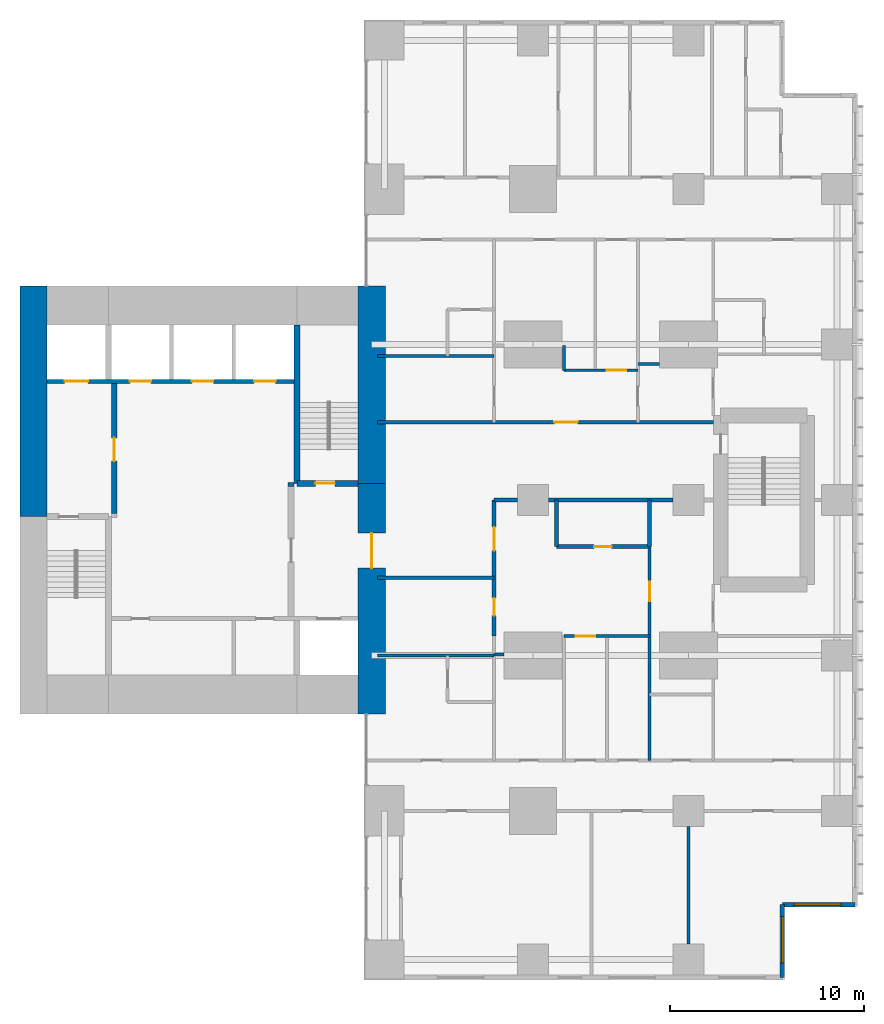
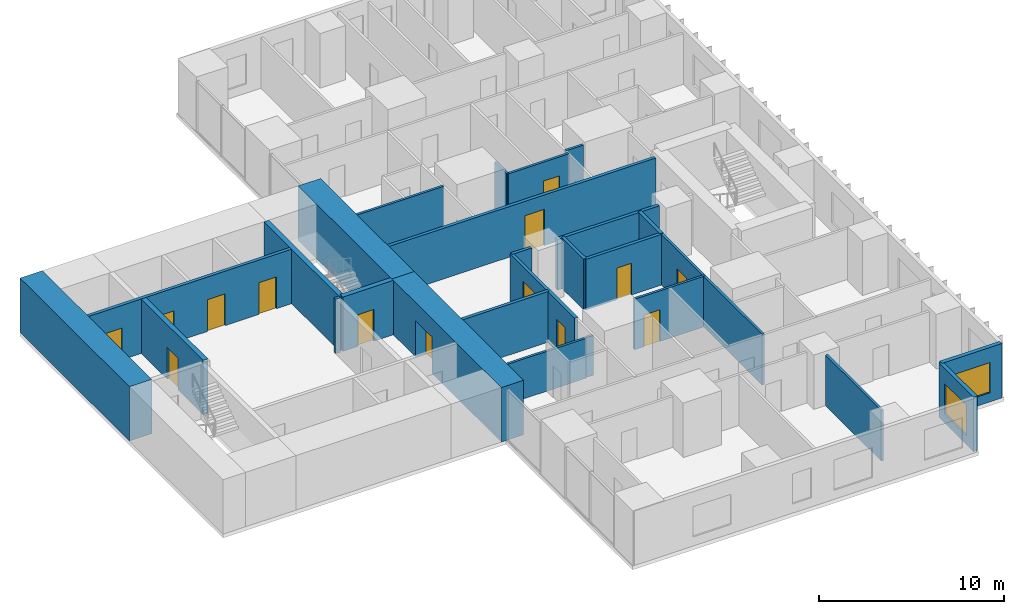
# One storey, part 8 of 12: 27 walls, 14 doors, 2 windows, 16 openings.
"""IFC4 building model written with IfcOpenShell, lengths in metres."""

import ifcopenshell
import ifcopenshell.guid

model = None  # the IFC model being written
_history = None  # IfcOwnerHistory: only IFC2X3 demands one
_inside = {}  # id of a spatial element -> (the spatial element, [elements in it])
_under = {}  # id of a project, library or spatial element -> (it, [spatial elements below it])
_declared = {}  # id of a project -> (the project, [libraries it declares])
_typed = {}  # id of a type object -> (the type object, [elements of that type])
_made_of = {}  # id of a material, layer set ... -> (it, [elements and type objects made of it])


def new_model(schema):
    """Start an empty IFC model of exactly this schema.

    Asked for "IFC4X3", IfcOpenShell would pick the latest addendum, in which some entities
    have other attributes; the version numbers below select the first issue.
    IFC2X3 requires an IfcOwnerHistory on every rooted entity: one is made here for all.
    """
    global model, _history
    if schema == "IFC4X3":
        model = ifcopenshell.file(schema_version=(4, 3, 0, 0))
    else:
        model = ifcopenshell.file(schema=schema)
    _inside.clear()
    _under.clear()
    _declared.clear()
    _typed.clear()
    _made_of.clear()
    _history = None
    if model.schema == "IFC2X3":
        org = make("IfcOrganization", Name="unknown")
        user = make(
            "IfcPersonAndOrganization",
            ThePerson=make("IfcPerson", FamilyName="unknown"),
            TheOrganization=org,
        )
        app = make(
            "IfcApplication",
            ApplicationDeveloper=org,
            Version="unknown",
            ApplicationFullName="unknown",
            ApplicationIdentifier="unknown",
        )
        _history = make(
            "IfcOwnerHistory",
            OwningUser=user,
            OwningApplication=app,
            ChangeAction="ADDED",
            CreationDate=0,
        )
    return model


def make(cls, **values):
    """One entity of the class cls with the attributes given. An attribute that is None is left unset."""
    return model.create_entity(
        cls, **{name: value for name, value in values.items() if value is not None}
    )


def rooted(cls, **values):
    """An entity with a GlobalId (a new one), such as an element, a storey or a relation."""
    return make(cls, GlobalId=ifcopenshell.guid.new(), OwnerHistory=_history, **values)


def si_unit(unit_type, name, prefix=None):
    """IfcSIUnit, for example si_unit("LENGTHUNIT", "METRE", prefix="MILLI")."""
    return make("IfcSIUnit", UnitType=unit_type, Prefix=prefix, Name=name)


def assignment(units):
    """IfcUnitAssignment: the units of a project."""
    return None if units is None else make("IfcUnitAssignment", Units=units)


def point(xyz):
    """IfcCartesianPoint."""
    return None if xyz is None else make("IfcCartesianPoint", Coordinates=xyz)


def direction(xyz):
    """IfcDirection."""
    return None if xyz is None else make("IfcDirection", DirectionRatios=xyz)


def frame(location, z_axis=None, x_axis=None):
    """IfcAxis2Placement3D, a coordinate frame: its origin and axes. An axis left out is left unset."""
    return make(
        "IfcAxis2Placement3D",
        Location=point(location),
        Axis=direction(z_axis),
        RefDirection=direction(x_axis),
    )


def frame_2d(location, x_axis=None):
    """IfcAxis2Placement2D, a coordinate frame in the plane: its origin and x axis."""
    return make(
        "IfcAxis2Placement2D", Location=point(location), RefDirection=direction(x_axis)
    )


def origin():
    """The frame at (0, 0, 0) with its axes left unset."""
    return frame((0.0, 0.0, 0.0))


def place(relative_to, where):
    """IfcLocalPlacement: puts the frame where relative to a parent placement (None: the world)."""
    return make(
        "IfcLocalPlacement", PlacementRelTo=relative_to, RelativePlacement=where
    )


def context(
    kind, dimensions, precision=None, world=None, true_north=None, identifier=None
):
    """IfcGeometricRepresentationContext, for example the 3D "Model" context."""
    return make(
        "IfcGeometricRepresentationContext",
        ContextIdentifier=identifier,
        ContextType=kind,
        CoordinateSpaceDimension=dimensions,
        Precision=precision,
        WorldCoordinateSystem=world,
        TrueNorth=true_north,
    )


def subcontext(parent, identifier, kind, view, scale=None):
    """IfcGeometricRepresentationSubContext, for example "Body" below "Model"."""
    return make(
        "IfcGeometricRepresentationSubContext",
        ContextIdentifier=identifier,
        ContextType=kind,
        ParentContext=parent,
        TargetScale=scale,
        TargetView=view,
    )


def project(units=None, contexts=None):
    """IfcProject with its units and contexts."""
    return rooted(
        "IfcProject",
        Name="project",
        RepresentationContexts=contexts,
        UnitsInContext=assignment(units),
    )


def spatial(cls, under=None, at=None, **own):
    """A site, building, storey or space (cls), placed at a placement, below another one or the project."""
    s = rooted(cls, ObjectPlacement=at, **own)
    if under is not None:
        _under.setdefault(under.id(), (under, []))[1].append(s)
    return s


def profile(cls, at=None, kind="AREA", **sizes):
    """A parametric profile (cls). Its sizes go by their IFC names, for example OverallWidth=200.0."""
    return make(cls, ProfileType=kind, Position=at, **sizes)


def rectangle(**sizes):
    """IfcRectangleProfileDef."""
    return profile("IfcRectangleProfileDef", **sizes)


def extrude(swept, where, along, depth):
    """IfcExtrudedAreaSolid: the profile swept, set in the frame where, extruded along a direction by depth."""
    return make(
        "IfcExtrudedAreaSolid",
        SweptArea=swept,
        Position=where,
        ExtrudedDirection=direction(along),
        Depth=depth,
    )


def shape(context_of_items, identifier, shape_type, items):
    """IfcShapeRepresentation: the items that make up one representation, for example the "Body"."""
    return make(
        "IfcShapeRepresentation",
        ContextOfItems=context_of_items,
        RepresentationIdentifier=identifier,
        RepresentationType=shape_type,
        Items=items,
    )


def material(Name=None, Category=None):
    """IfcMaterial."""
    return make("IfcMaterial", Name=Name, Category=Category)


def layer(
    of_material, thickness, ventilated=None, Name=None, Category=None, Priority=None
):
    """IfcMaterialLayer: one layer of a wall or slab, of a material (None: an air gap)."""
    return make(
        "IfcMaterialLayer",
        Material=of_material,
        LayerThickness=thickness,
        IsVentilated=ventilated,
        Name=Name,
        Category=Category,
        Priority=Priority,
    )


def layer_set(layers, Name=None):
    """IfcMaterialLayerSet."""
    return make("IfcMaterialLayerSet", MaterialLayers=layers, LayerSetName=Name)


def made_of(thing, what):
    """Note that an element or type object is made of a material, layer set ...; save() writes the relation."""
    if what is not None:
        _made_of.setdefault(what.id(), (what, []))[1].append(thing)
    return thing


def type_object(cls, material=None, **own):
    """A type object (cls), such as IfcWallType, which elements share."""
    return made_of(rooted(cls, **own), material)


def element(
    cls,
    number,
    at=None,
    inside=None,
    cuts=None,
    type_object=None,
    material=None,
    context=None,
    identifier="Body",
    shape_type=None,
    held_by="IfcProductDefinitionShape",
    body=None,
    shapes=None,
    **own,
):
    """One element of the class cls, such as IfcWall. Its Tag is "e" and its number.

    at: its placement. inside: the storey or other place that contains it. cuts: it is an
    opening in that element (IfcRelVoidsElement). A single representation is given by context,
    identifier, shape_type and body (its items); several are given by shapes. held_by: the class
    of the entity that holds the representations. save() writes the other relations.
    """
    e = rooted(cls, Tag="e%d" % number, ObjectPlacement=at, **own)
    if body is not None:
        shapes = [shape(context, identifier, shape_type, body)]
    if shapes is not None:
        e.Representation = make(held_by, Representations=shapes)
    if inside is not None:
        _inside.setdefault(inside.id(), (inside, []))[1].append(e)
    if cuts is not None:
        rooted(
            "IfcRelVoidsElement", RelatingBuildingElement=cuts, RelatedOpeningElement=e
        )
    if type_object is not None:
        _typed.setdefault(type_object.id(), (type_object, []))[1].append(e)
    return made_of(e, material)


def fill(opening, filler):
    """IfcRelFillsElement: the door or window that sits in an opening."""
    return rooted(
        "IfcRelFillsElement",
        RelatingOpeningElement=opening,
        RelatedBuildingElement=filler,
    )


def aggregate(whole, parts):
    """IfcRelAggregates: a whole, such as a stair, and the parts it consists of."""
    return rooted("IfcRelAggregates", RelatingObject=whole, RelatedObjects=parts)


def save(model, path):
    """Write the relations noted so far, then the file.

    IfcRelAggregates (storeys below a building ...), IfcRelContainedInSpatialStructure (elements
    in a storey), IfcRelDefinesByType, IfcRelAssociatesMaterial and IfcRelDeclares: one each for
    every whole, place, type object, material and project.
    """
    for whole, parts in _under.values():
        aggregate(whole, parts)
    for where, things in _inside.values():
        rooted(
            "IfcRelContainedInSpatialStructure",
            RelatedElements=things,
            RelatingStructure=where,
        )
    for kind, things in _typed.values():
        rooted("IfcRelDefinesByType", RelatedObjects=things, RelatingType=kind)
    for what, things in _made_of.values():
        rooted("IfcRelAssociatesMaterial", RelatedObjects=things, RelatingMaterial=what)
    for by, libraries in _declared.values():
        rooted("IfcRelDeclares", RelatingContext=by, RelatedDefinitions=libraries)
    model.write(path)


model = new_model("IFC4")

# Units and contexts
model_context = context("Model", 3, precision=1e-05, world=origin(), true_north=direction((0.0, 1.0)))
body_context = subcontext(model_context, "Body", "Model", "MODEL_VIEW")
ifc_project = project(units=[si_unit("LENGTHUNIT", "METRE"), si_unit("AREAUNIT", "SQUARE_METRE"), si_unit("VOLUMEUNIT", "CUBIC_METRE"), si_unit("PLANEANGLEUNIT", "RADIAN"), si_unit("MASSUNIT", "GRAM", prefix="KILO")], contexts=[model_context])

# Site, building, storey
site_placement = place(None, origin())
site = spatial("IfcSite", under=ifc_project, at=site_placement, CompositionType="ELEMENT")
building_placement = place(site_placement, origin())
building = spatial("IfcBuilding", under=site, at=building_placement, Name="Cleftline Residences", CompositionType="ELEMENT")
storey_placement = place(building_placement, frame((0.0, 0.0, 270.0)))
storey = spatial("IfcBuildingStorey", under=building, at=storey_placement, Name="L71", CompositionType="ELEMENT", Elevation=270.0)

# Wall
ifc_material_1 = material(Name="Concrete B70", Category="concrete")
ifc_layer_1 = layer(ifc_material_1, 1.39990234375)
ifc_layer_set_1 = layer_set([ifc_layer_1], Name="CORE WALL 1400")
wall_type_1 = type_object("IfcWallType", Name="CORE WALL 1400", PredefinedType="SHEAR", material=ifc_layer_set_1)
wall_1_placement = place(storey_placement, frame((24.300048828125, 23.14990234375, 0.0), z_axis=(0.0, 0.0, 1.0), x_axis=(0.0, 1.0, 0.0)))
element("IfcWall", 1, at=wall_1_placement, inside=storey, type_object=wall_type_1, Name="Core wall W", PredefinedType="SHEAR", context=body_context, shape_type="SweptSolid", body=[
    extrude(rectangle(XDim=11.85009765625, YDim=1.39990234375, at=frame_2d((5.925048828125, 0.0))), origin(), (0.0, 0.0, 1.0), 3.60009765625),
])

# Wall, opening, door
wall_2_placement = place(storey_placement, frame((41.699951171875, 13.0, 0.0), z_axis=(0.0, 0.0, 1.0), x_axis=(0.0, 1.0, 0.0)))
wall_2 = element("IfcWall", 2, at=wall_2_placement, inside=storey, type_object=wall_type_1, Name="Core wall E", PredefinedType="SHEAR", context=body_context, shape_type="SweptSolid", body=[
    extrude(rectangle(XDim=11.85009765625, YDim=1.39990234375, at=frame_2d((5.925048828125, 0.0))), origin(), (0.0, 0.0, 1.0), 3.60009765625),
])
opening_1_placement = place(wall_2_placement, frame((7.5, 0.0, 0.0)))
opening_1 = element("IfcOpeningElement", 3, at=opening_1_placement, cuts=wall_2, Name="Opening D7", PredefinedType="OPENING", context=body_context, shape_type="SweptSolid", body=[
    extrude(rectangle(XDim=1.800048828125, YDim=2.39990234375, at=frame_2d((0.89990234375, 1.199951171875))), frame((0.0, 0.7099609375, 0.0), z_axis=(0.0, -1.0, 0.0), x_axis=(1.0, 0.0, 0.0)), (0.0, 0.0, 1.0), 1.419921875),
])
ifc_material_2 = material(Name="Steel", Category="steel")
door_type_1 = type_object("IfcDoorType", Name="WING DOOR 1800X2400", OperationType="DOUBLE_DOOR_DOUBLE_SWING", PredefinedType="DOOR", material=ifc_material_2)
door_1_placement = place(opening_1_placement, origin())
door_1 = element("IfcDoor", 4, at=door_1_placement, inside=storey, type_object=door_type_1, Name="East wing door", OperationType="DOUBLE_DOOR_DOUBLE_SWING", OverallHeight=2.39990234375, OverallWidth=1.800048828125, PredefinedType="DOOR", context=body_context, shape_type="SweptSolid", body=[
    extrude(rectangle(XDim=1.800048828125, YDim=2.39990234375, at=frame_2d((0.89990234375, 1.199951171875))), frame((0.0, 0.02490234375, 0.0), z_axis=(0.0, -1.0, 0.0), x_axis=(1.0, 0.0, 0.0)), (0.0, 0.0, 1.0), 0.050048828125),
])
fill(opening_1, door_1)

# Walls
wall_3_placement = place(storey_placement, frame((41.699951171875, 24.85009765625, 0.0), z_axis=(0.0, 0.0, 1.0), x_axis=(0.0, 1.0, 0.0)))
element("IfcWall", 5, at=wall_3_placement, inside=storey, type_object=wall_type_1, Name="Core wall E1", PredefinedType="SHEAR", context=body_context, shape_type="SweptSolid", body=[
    extrude(rectangle(XDim=10.14990234375, YDim=1.39990234375, at=frame_2d((5.074951171875, 0.0))), origin(), (0.0, 0.0, 1.0), 3.60009765625),
])
ifc_material_3 = material(Name="Concrete B70", Category="concrete")
ifc_layer_2 = layer(ifc_material_3, 0.300048828125)
ifc_layer_set_2 = layer_set([ifc_layer_2], Name="CORE WALL 300")
wall_type_2 = type_object("IfcWallType", Name="CORE WALL 300", PredefinedType="SHEAR", material=ifc_layer_set_2)
wall_4_placement = place(storey_placement, frame((37.85009765625, 24.85009765625, 0.0), z_axis=(0.0, 0.0, 1.0), x_axis=(0.0, 1.0, 0.0)))
element("IfcWall", 6, at=wall_4_placement, inside=storey, type_object=wall_type_2, Name="Core wall SB-W", PredefinedType="SHEAR", context=body_context, shape_type="SweptSolid", body=[
    extrude(rectangle(XDim=8.14990234375, YDim=0.300048828125, at=frame_2d((4.074951171875, 0.0))), origin(), (0.0, 0.0, 1.0), 3.60009765625),
])

# Wall, opening, door
wall_5_placement = place(storey_placement, frame((37.85009765625, 24.85009765625, 0.0), z_axis=(0.0, 0.0, 1.0), x_axis=(1.0, 0.0, 0.0)))
wall_5 = element("IfcWall", 7, at=wall_5_placement, inside=storey, type_object=wall_type_2, Name="Core wall SB-S", PredefinedType="SHEAR", context=body_context, shape_type="SweptSolid", body=[
    extrude(rectangle(XDim=3.14990234375, YDim=0.300048828125, at=frame_2d((1.574951171875, 0.0))), origin(), (0.0, 0.0, 1.0), 3.60009765625),
])
opening_2_placement = place(wall_5_placement, frame((0.949951171875, 0.0, 0.0)))
opening_2 = element("IfcOpeningElement", 8, at=opening_2_placement, cuts=wall_5, Name="Opening D5", PredefinedType="OPENING", context=body_context, shape_type="SweptSolid", body=[
    extrude(rectangle(XDim=1.0, YDim=2.10009765625, at=frame_2d((0.5, 1.050048828125))), frame((0.0, 0.159912109375, 0.0), z_axis=(0.0, -1.0, 0.0), x_axis=(1.0, 0.0, 0.0)), (0.0, 0.0, 1.0), 0.320068359375),
])
ifc_material_4 = material(Name="Steel", Category="steel")
door_type_2 = type_object("IfcDoorType", Name="STAIR DOOR 1000X2100", OperationType="SINGLE_SWING_LEFT", PredefinedType="DOOR", material=ifc_material_4)
door_2_placement = place(opening_2_placement, origin())
door_2 = element("IfcDoor", 9, at=door_2_placement, inside=storey, type_object=door_type_2, Name="Stair B door", OperationType="SINGLE_SWING_RIGHT", OverallHeight=2.10009765625, OverallWidth=1.0, PredefinedType="DOOR", context=body_context, shape_type="SweptSolid", body=[
    extrude(rectangle(XDim=1.0, YDim=2.10009765625, at=frame_2d((0.5, 1.050048828125))), frame((0.0, 0.02490234375, 0.0), z_axis=(0.0, -1.0, 0.0), x_axis=(1.0, 0.0, 0.0)), (0.0, 0.0, 1.0), 0.050048828125),
])
fill(opening_2, door_2)

# Wall, opening, window
ifc_material_5 = material(Name="Rendered reinforced concrete blockwork", Category="masonry")
ifc_layer_3 = layer(ifc_material_5, 0.25)
ifc_layer_set_3 = layer_set([ifc_layer_3], Name="EXTERNAL WALL 250")
wall_type_3 = type_object("IfcWallType", Name="EXTERNAL WALL 250", PredefinedType="SOLIDWALL", material=ifc_layer_set_3)
wall_6_placement = place(storey_placement, frame((62.824951171875, -0.574951171875, 0.0), z_axis=(0.0, 0.0, 1.0), x_axis=(0.0, 1.0, 0.0)))
wall_6 = element("IfcWall", 10, at=wall_6_placement, inside=storey, type_object=wall_type_3, Name="External wall", PredefinedType="SOLIDWALL", context=body_context, shape_type="SweptSolid", body=[
    extrude(rectangle(XDim=3.75, YDim=0.25, at=frame_2d((1.875, 0.0))), origin(), (0.0, 0.0, 1.0), 3.60009765625),
])
opening_3_placement = place(wall_6_placement, frame((0.737548828125, 0.0, 0.60009765625)))
opening_3 = element("IfcOpeningElement", 11, at=opening_3_placement, cuts=wall_6, Name="Opening W6", PredefinedType="OPENING", context=body_context, shape_type="SweptSolid", body=[
    extrude(rectangle(XDim=2.39990234375, YDim=2.0, at=frame_2d((1.199951171875, 1.0))), frame((0.0, 0.135009765625, 0.0), z_axis=(0.0, -1.0, 0.0), x_axis=(1.0, 0.0, 0.0)), (0.0, 0.0, 1.0), 0.27001953125),
])
ifc_material_6 = material(Name="Aluminium frame, clear double glazing", Category="aluminium")
window_type = type_object("IfcWindowType", Name="WINDOW 2400X2000", PartitioningType="DOUBLE_PANEL_VERTICAL", PredefinedType="WINDOW", material=ifc_material_6)
window_1_placement = place(opening_3_placement, origin())
window_1 = element("IfcWindow", 12, at=window_1_placement, inside=storey, type_object=window_type, Name="Window", OverallHeight=2.0, OverallWidth=2.39990234375, PartitioningType="SINGLE_PANEL", PredefinedType="WINDOW", context=body_context, shape_type="SweptSolid", body=[
    extrude(rectangle(XDim=2.39990234375, YDim=2.0, at=frame_2d((1.199951171875, 1.0))), frame((0.0, 0.030029296875, 0.0), z_axis=(0.0, -1.0, 0.0), x_axis=(1.0, 0.0, 0.0)), (0.0, 0.0, 1.0), 0.06005859375),
])
fill(opening_3, window_1)

wall_7_placement = place(storey_placement, frame((62.824951171875, 3.175048828125, 0.0), z_axis=(0.0, 0.0, 1.0), x_axis=(1.0, 0.0, 0.0)))
wall_7 = element("IfcWall", 13, at=wall_7_placement, inside=storey, type_object=wall_type_3, Name="External wall", PredefinedType="SOLIDWALL", context=body_context, shape_type="SweptSolid", body=[
    extrude(rectangle(XDim=3.75, YDim=0.25, at=frame_2d((1.875, 0.0))), origin(), (0.0, 0.0, 1.0), 3.60009765625),
])
opening_4_placement = place(wall_7_placement, frame((0.612548828125, 0.0, 0.60009765625)))
opening_4 = element("IfcOpeningElement", 14, at=opening_4_placement, cuts=wall_7, Name="Opening W6", PredefinedType="OPENING", context=body_context, shape_type="SweptSolid", body=[
    extrude(rectangle(XDim=2.39990234375, YDim=2.0, at=frame_2d((1.199951171875, 1.0))), frame((0.0, 0.135009765625, 0.0), z_axis=(0.0, -1.0, 0.0), x_axis=(1.0, 0.0, 0.0)), (0.0, 0.0, 1.0), 0.27001953125),
])
window_2_placement = place(opening_4_placement, origin())
window_2 = element("IfcWindow", 15, at=window_2_placement, inside=storey, type_object=window_type, Name="Window", OverallHeight=2.0, OverallWidth=2.39990234375, PartitioningType="SINGLE_PANEL", PredefinedType="WINDOW", context=body_context, shape_type="SweptSolid", body=[
    extrude(rectangle(XDim=2.39990234375, YDim=2.0, at=frame_2d((1.199951171875, 1.0))), frame((0.0, 0.030029296875, 0.0), z_axis=(0.0, -1.0, 0.0), x_axis=(1.0, 0.0, 0.0)), (0.0, 0.0, 1.0), 0.06005859375),
])
fill(opening_4, window_2)

# Wall
ifc_material_7 = material(Name="Concrete blockwork, fire rated", Category="masonry")
ifc_layer_4 = layer(ifc_material_7, 0.199951171875)
ifc_layer_set_4 = layer_set([ifc_layer_4], Name="FIRE WALL 200")
wall_type_4 = type_object("IfcWallType", Name="FIRE WALL 200", PredefinedType="PARTITIONING", material=ifc_layer_set_4)
wall_8_placement = place(storey_placement, frame((42.0, 20.0, 0.0), z_axis=(0.0, 0.0, 1.0), x_axis=(1.0, 0.0, 0.0)))
element("IfcWall", 16, at=wall_8_placement, inside=storey, type_object=wall_type_4, Name="Fire separating wall", PredefinedType="PARTITIONING", context=body_context, shape_type="SweptSolid", body=[
    extrude(rectangle(XDim=6.0, YDim=0.199951171875, at=frame_2d((3.0, 0.0))), origin(), (0.0, 0.0, 1.0), 3.35009765625),
])

# Wall, opening, door
wall_9_placement = place(storey_placement, frame((51.199951171875, 21.60009765625, 0.0), z_axis=(0.0, 0.0, 1.0), x_axis=(1.0, 0.0, 0.0)))
wall_9 = element("IfcWall", 17, at=wall_9_placement, inside=storey, type_object=wall_type_4, Name="Fire separating wall", PredefinedType="PARTITIONING", context=body_context, shape_type="SweptSolid", body=[
    extrude(rectangle(XDim=4.800048828125, YDim=0.199951171875, at=frame_2d((2.39990234375, 0.0))), origin(), (0.0, 0.0, 1.0), 3.35009765625),
])
opening_5_placement = place(wall_9_placement, frame((1.949951171875, 0.0, 0.0)))
opening_5 = element("IfcOpeningElement", 18, at=opening_5_placement, cuts=wall_9, Name="Opening D1F30", PredefinedType="OPENING", context=body_context, shape_type="SweptSolid", body=[
    extrude(rectangle(XDim=0.89990234375, YDim=2.10009765625, at=frame_2d((0.449951171875, 1.050048828125))), frame((0.0, 0.10986328125, 0.0), z_axis=(0.0, -1.0, 0.0), x_axis=(1.0, 0.0, 0.0)), (0.0, 0.0, 1.0), 0.219970703125),
])
ifc_material_8 = material(Name="Timber veneer on solid core", Category="wood")
door_type_3 = type_object("IfcDoorType", Name="DOOR 900X2100 EI 30", OperationType="SINGLE_SWING_LEFT", PredefinedType="DOOR", material=ifc_material_8)
door_3_placement = place(opening_5_placement, origin())
door_3 = element("IfcDoor", 19, at=door_3_placement, inside=storey, type_object=door_type_3, Name="Door to cloakroom wc", OperationType="SINGLE_SWING_LEFT", OverallHeight=2.10009765625, OverallWidth=0.89990234375, PredefinedType="DOOR", context=body_context, shape_type="SweptSolid", body=[
    extrude(rectangle(XDim=0.89990234375, YDim=2.10009765625, at=frame_2d((0.449951171875, 1.050048828125))), frame((0.0, 0.02490234375, 0.0), z_axis=(0.0, -1.0, 0.0), x_axis=(1.0, 0.0, 0.0)), (0.0, 0.0, 1.0), 0.050048828125),
])
fill(opening_5, door_3)

# Walls
wall_10_placement = place(storey_placement, frame((48.0, 24.0, 0.0), z_axis=(0.0, 0.0, 1.0), x_axis=(1.0, 0.0, 0.0)))
element("IfcWall", 20, at=wall_10_placement, inside=storey, type_object=wall_type_4, Name="Fire separating wall", PredefinedType="PARTITIONING", context=body_context, shape_type="SweptSolid", body=[
    extrude(rectangle(XDim=1.199951171875, YDim=0.199951171875, at=frame_2d((0.60009765625, 0.0))), origin(), (0.0, 0.0, 1.0), 3.35009765625),
])
wall_11_placement = place(storey_placement, frame((50.800048828125, 24.0, 0.0), z_axis=(0.0, 0.0, 1.0), x_axis=(1.0, 0.0, 0.0)))
element("IfcWall", 21, at=wall_11_placement, inside=storey, type_object=wall_type_4, Name="Fire separating wall", PredefinedType="PARTITIONING", context=body_context, shape_type="SweptSolid", body=[
    extrude(rectangle(XDim=6.39990234375, YDim=0.199951171875, at=frame_2d((3.199951171875, 0.0))), origin(), (0.0, 0.0, 1.0), 3.35009765625),
])

# Wall, opening, door
wall_12_placement = place(storey_placement, frame((42.0, 28.0, 0.0), z_axis=(0.0, 0.0, 1.0), x_axis=(1.0, 0.0, 0.0)))
wall_12 = element("IfcWall", 22, at=wall_12_placement, inside=storey, type_object=wall_type_4, Name="Fire separating wall", PredefinedType="PARTITIONING", context=body_context, shape_type="SweptSolid", body=[
    extrude(rectangle(XDim=17.27490234375, YDim=0.199951171875, at=frame_2d((8.637451171875, 0.0))), origin(), (0.0, 0.0, 1.0), 3.35009765625),
])
opening_6_placement = place(wall_12_placement, frame((9.10009765625, 0.0, 0.0)))
opening_6 = element("IfcOpeningElement", 23, at=opening_6_placement, cuts=wall_12, Name="Opening D4", PredefinedType="OPENING", context=body_context, shape_type="SweptSolid", body=[
    extrude(rectangle(XDim=1.199951171875, YDim=2.39990234375, at=frame_2d((0.60009765625, 1.199951171875))), frame((0.0, 0.10986328125, 0.0), z_axis=(0.0, -1.0, 0.0), x_axis=(1.0, 0.0, 0.0)), (0.0, 0.0, 1.0), 0.219970703125),
])
ifc_material_9 = material(Name="Timber veneer on solid core", Category="wood")
door_type_4 = type_object("IfcDoorType", Name="APARTMENT ENTRANCE DOOR 1200X2400", OperationType="SINGLE_SWING_RIGHT", PredefinedType="DOOR", material=ifc_material_9)
door_4_placement = place(opening_6_placement, origin())
door_4 = element("IfcDoor", 24, at=door_4_placement, inside=storey, type_object=door_type_4, Name="Door to residence entrance (gallery)", OperationType="SINGLE_SWING_LEFT", OverallHeight=2.39990234375, OverallWidth=1.199951171875, PredefinedType="DOOR", context=body_context, shape_type="SweptSolid", body=[
    extrude(rectangle(XDim=1.199951171875, YDim=2.39990234375, at=frame_2d((0.60009765625, 1.199951171875))), frame((0.0, 0.02490234375, 0.0), z_axis=(0.0, -1.0, 0.0), x_axis=(1.0, 0.0, 0.0)), (0.0, 0.0, 1.0), 0.050048828125),
])
fill(opening_6, door_4)

# Wall, openings, doors
wall_13_placement = place(storey_placement, frame((48.0, 17.0, 0.0), z_axis=(0.0, 0.0, 1.0), x_axis=(0.0, 1.0, 0.0)))
wall_13 = element("IfcWall", 25, at=wall_13_placement, inside=storey, type_object=wall_type_4, Name="Fire separating wall", PredefinedType="PARTITIONING", context=body_context, shape_type="SweptSolid", body=[
    extrude(rectangle(XDim=7.0, YDim=0.199951171875, at=frame_2d((3.5, 0.0))), origin(), (0.0, 0.0, 1.0), 3.35009765625),
])
opening_7_placement = place(wall_13_placement, frame((4.39990234375, 0.0, 0.0)))
opening_7 = element("IfcOpeningElement", 26, at=opening_7_placement, cuts=wall_13, Name="Opening D4", PredefinedType="OPENING", context=body_context, shape_type="SweptSolid", body=[
    extrude(rectangle(XDim=1.199951171875, YDim=2.39990234375, at=frame_2d((0.60009765625, 1.199951171875))), frame((0.0, 0.10986328125, 0.0), z_axis=(0.0, -1.0, 0.0), x_axis=(1.0, 0.0, 0.0)), (0.0, 0.0, 1.0), 0.219970703125),
])
opening_8_placement = place(wall_13_placement, frame((1.050048828125, 0.0, 0.0)))
opening_8 = element("IfcOpeningElement", 27, at=opening_8_placement, cuts=wall_13, Name="Opening D1F30", PredefinedType="OPENING", context=body_context, shape_type="SweptSolid", body=[
    extrude(rectangle(XDim=0.89990234375, YDim=2.10009765625, at=frame_2d((0.449951171875, 1.050048828125))), frame((0.0, 0.10986328125, 0.0), z_axis=(0.0, -1.0, 0.0), x_axis=(1.0, 0.0, 0.0)), (0.0, 0.0, 1.0), 0.219970703125),
])
door_5_placement = place(opening_7_placement, origin())
door_5 = element("IfcDoor", 28, at=door_5_placement, inside=storey, type_object=door_type_4, Name="Door to residence entrance foyer", OperationType="SINGLE_SWING_LEFT", OverallHeight=2.39990234375, OverallWidth=1.199951171875, PredefinedType="DOOR", context=body_context, shape_type="SweptSolid", body=[
    extrude(rectangle(XDim=1.199951171875, YDim=2.39990234375, at=frame_2d((0.60009765625, 1.199951171875))), frame((0.0, 0.02490234375, 0.0), z_axis=(0.0, -1.0, 0.0), x_axis=(1.0, 0.0, 0.0)), (0.0, 0.0, 1.0), 0.050048828125),
])
fill(opening_7, door_5)
door_6_placement = place(opening_8_placement, origin())
door_6 = element("IfcDoor", 29, at=door_6_placement, inside=storey, type_object=door_type_3, Name="Door to laundry", OperationType="SINGLE_SWING_RIGHT", OverallHeight=2.10009765625, OverallWidth=0.89990234375, PredefinedType="DOOR", context=body_context, shape_type="SweptSolid", body=[
    extrude(rectangle(XDim=0.89990234375, YDim=2.10009765625, at=frame_2d((0.449951171875, 1.050048828125))), frame((0.0, 0.02490234375, 0.0), z_axis=(0.0, -1.0, 0.0), x_axis=(1.0, 0.0, 0.0)), (0.0, 0.0, 1.0), 0.050048828125),
])
fill(opening_8, door_6)

# Walls
for number, where, z_axis, x_axis, name in (
    (30, (51.199951171875, 21.60009765625, 0.0), (0.0, 0.0, 1.0), (0.0, 1.0, 0.0), "Fire separating wall"),
    (31, (56.0, 21.60009765625, 0.0), (0.0, 0.0, 1.0), (0.0, 1.0, 0.0), "Fire separating wall"),
):
    element("IfcWall", number, at=place(storey_placement, frame(where, z_axis=z_axis, x_axis=x_axis)), inside=storey, type_object=wall_type_4, Name=name, PredefinedType="PARTITIONING", context=body_context, shape_type="SweptSolid", body=[
        extrude(rectangle(XDim=2.39990234375, YDim=0.199951171875, at=frame_2d((1.199951171875, 0.0))), origin(), (0.0, 0.0, 1.0), 3.35009765625),
    ])
wall_14_placement = place(storey_placement, frame((37.39990234375, 24.800048828125, 0.0), z_axis=(0.0, 0.0, 1.0), x_axis=(1.0, 0.0, 0.0)))
element("IfcWall", 32, at=wall_14_placement, inside=storey, type_object=wall_type_4, Name="Fire separating wall", PredefinedType="PARTITIONING", context=body_context, shape_type="SweptSolid", body=[
    extrude(rectangle(XDim=0.300048828125, YDim=0.199951171875, at=frame_2d((0.14990234375, 0.0))), origin(), (0.0, 0.0, 1.0), 3.60009765625),
])
ifc_material_10 = material(Name="Gypsum board on steel studs", Category="steel")
ifc_layer_5 = layer(ifc_material_10, 0.14990234375)
ifc_layer_set_5 = layer_set([ifc_layer_5], Name="PARTITION 150")
wall_type_5 = type_object("IfcWallType", Name="PARTITION 150", PredefinedType="PARTITIONING", material=ifc_layer_set_5)
wall_15_placement = place(storey_placement, frame((42.0, 16.0, 0.0), z_axis=(0.0, 0.0, 1.0), x_axis=(1.0, 0.0, 0.0)))
element("IfcWall", 33, at=wall_15_placement, inside=storey, type_object=wall_type_5, Name="Partition", PredefinedType="PARTITIONING", context=body_context, shape_type="SweptSolid", body=[
    extrude(rectangle(XDim=6.0, YDim=0.14990234375, at=frame_2d((3.0, 0.0))), origin(), (0.0, 0.0, 1.0), 2.634033203125),
])
wall_16_placement = place(storey_placement, frame((48.0, 16.050048828125, 0.0), z_axis=(0.0, 0.0, 1.0), x_axis=(1.0, 0.0, 0.0)))
element("IfcWall", 34, at=wall_16_placement, inside=storey, type_object=wall_type_5, Name="Partition", PredefinedType="PARTITIONING", context=body_context, shape_type="SweptSolid", body=[
    extrude(rectangle(XDim=0.5, YDim=0.14990234375, at=frame_2d((0.25, 0.0))), origin(), (0.0, 0.0, 1.0), 2.634033203125),
])

# Wall, opening, door
wall_17_placement = place(storey_placement, frame((51.60009765625, 17.0, 0.0), z_axis=(0.0, 0.0, 1.0), x_axis=(1.0, 0.0, 0.0)))
wall_17 = element("IfcWall", 35, at=wall_17_placement, inside=storey, type_object=wall_type_5, Name="Partition", PredefinedType="PARTITIONING", context=body_context, shape_type="SweptSolid", body=[
    extrude(rectangle(XDim=4.39990234375, YDim=0.14990234375, at=frame_2d((2.199951171875, 0.0))), origin(), (0.0, 0.0, 1.0), 3.35009765625),
])
opening_9_placement = place(wall_17_placement, frame((0.60009765625, 0.0, 0.0)))
opening_9 = element("IfcOpeningElement", 36, at=opening_9_placement, cuts=wall_17, Name="Opening D2", PredefinedType="OPENING", context=body_context, shape_type="SweptSolid", body=[
    extrude(rectangle(XDim=1.0, YDim=2.10009765625, at=frame_2d((0.5, 1.050048828125))), frame((0.0, 0.0849609375, 0.0), z_axis=(0.0, -1.0, 0.0), x_axis=(1.0, 0.0, 0.0)), (0.0, 0.0, 1.0), 0.169921875),
])
ifc_material_11 = material(Name="Timber veneer on solid core", Category="wood")
door_type_5 = type_object("IfcDoorType", Name="DOOR 1000X2100", OperationType="SINGLE_SWING_LEFT", PredefinedType="DOOR", material=ifc_material_11)
door_7_placement = place(opening_9_placement, origin())
door_7 = element("IfcDoor", 37, at=door_7_placement, inside=storey, type_object=door_type_5, Name="Door to residence passage", OperationType="SINGLE_SWING_RIGHT", OverallHeight=2.10009765625, OverallWidth=1.0, PredefinedType="DOOR", context=body_context, shape_type="SweptSolid", body=[
    extrude(rectangle(XDim=1.0, YDim=2.10009765625, at=frame_2d((0.5, 1.050048828125))), frame((0.0, 0.02490234375, 0.0), z_axis=(0.0, -1.0, 0.0), x_axis=(1.0, 0.0, 0.0)), (0.0, 0.0, 1.0), 0.050048828125),
])
fill(opening_9, door_7)

wall_18_placement = place(storey_placement, frame((51.60009765625, 30.675048828125, 0.0), z_axis=(0.0, 0.0, 1.0), x_axis=(1.0, 0.0, 0.0)))
wall_18 = element("IfcWall", 38, at=wall_18_placement, inside=storey, type_object=wall_type_5, Name="Partition", PredefinedType="PARTITIONING", context=body_context, shape_type="SweptSolid", body=[
    extrude(rectangle(XDim=3.7998046875, YDim=0.14990234375, at=frame_2d((1.89990234375, 0.0))), origin(), (0.0, 0.0, 1.0), 3.35009765625),
])
opening_10_placement = place(wall_18_placement, frame((2.199951171875, 0.0, 0.0)))
opening_10 = element("IfcOpeningElement", 39, at=opening_10_placement, cuts=wall_18, Name="Opening D2", PredefinedType="OPENING", context=body_context, shape_type="SweptSolid", body=[
    extrude(rectangle(XDim=1.0, YDim=2.10009765625, at=frame_2d((0.5, 1.050048828125))), frame((0.0, 0.0849609375, 0.0), z_axis=(0.0, -1.0, 0.0), x_axis=(1.0, 0.0, 0.0)), (0.0, 0.0, 1.0), 0.169921875),
])
door_8_placement = place(opening_10_placement, origin())
door_8 = element("IfcDoor", 40, at=door_8_placement, inside=storey, type_object=door_type_5, Name="Door to residence passage", OperationType="SINGLE_SWING_LEFT", OverallHeight=2.10009765625, OverallWidth=1.0, PredefinedType="DOOR", context=body_context, shape_type="SweptSolid", body=[
    extrude(rectangle(XDim=1.0, YDim=2.10009765625, at=frame_2d((0.5, 1.050048828125))), frame((0.0, 0.02490234375, 0.0), z_axis=(0.0, -1.0, 0.0), x_axis=(1.0, 0.0, 0.0)), (0.0, 0.0, 1.0), 0.050048828125),
])
fill(opening_10, door_8)

# Walls
wall_19_placement = place(storey_placement, frame((55.39990234375, 31.0, 0.0), z_axis=(0.0, 0.0, 1.0), x_axis=(1.0, 0.0, 0.0)))
element("IfcWall", 41, at=wall_19_placement, inside=storey, type_object=wall_type_5, Name="Partition", PredefinedType="PARTITIONING", context=body_context, shape_type="SweptSolid", body=[
    extrude(rectangle(XDim=1.10009765625, YDim=0.14990234375, at=frame_2d((0.550048828125, 0.0))), origin(), (0.0, 0.0, 1.0), 3.35009765625),
])
wall_20_placement = place(storey_placement, frame((42.0, 31.39990234375, 0.0), z_axis=(0.0, 0.0, 1.0), x_axis=(1.0, 0.0, 0.0)))
element("IfcWall", 42, at=wall_20_placement, inside=storey, type_object=wall_type_5, Name="Partition", PredefinedType="PARTITIONING", context=body_context, shape_type="SweptSolid", body=[
    extrude(rectangle(XDim=6.0, YDim=0.14990234375, at=frame_2d((3.0, 0.0))), origin(), (0.0, 0.0, 1.0), 3.35009765625),
])
wall_21_placement = place(storey_placement, frame((51.60009765625, 30.675048828125, 0.0), z_axis=(0.0, 0.0, 1.0), x_axis=(0.0, 1.0, 0.0)))
element("IfcWall", 43, at=wall_21_placement, inside=storey, type_object=wall_type_5, Name="Partition", PredefinedType="PARTITIONING", context=body_context, shape_type="SweptSolid", body=[
    extrude(rectangle(XDim=1.27490234375, YDim=0.14990234375, at=frame_2d((0.637451171875, 0.0))), origin(), (0.0, 0.0, 1.0), 3.35009765625),
])

# Wall, opening, door
wall_22_placement = place(storey_placement, frame((56.0, 10.60009765625, 0.0), z_axis=(0.0, 0.0, 1.0), x_axis=(0.0, 1.0, 0.0)))
wall_22 = element("IfcWall", 44, at=wall_22_placement, inside=storey, type_object=wall_type_5, Name="Partition", PredefinedType="PARTITIONING", context=body_context, shape_type="SweptSolid", body=[
    extrude(rectangle(XDim=11.0, YDim=0.14990234375, at=frame_2d((5.5, 0.0))), origin(), (0.0, 0.0, 1.0), 3.35009765625),
])
opening_11_placement = place(wall_22_placement, frame((8.199951171875, 0.0, 0.0)))
opening_11 = element("IfcOpeningElement", 45, at=opening_11_placement, cuts=wall_22, Name="Opening D2F30", PredefinedType="OPENING", context=body_context, shape_type="SweptSolid", body=[
    extrude(rectangle(XDim=1.0, YDim=2.10009765625, at=frame_2d((0.5, 1.050048828125))), frame((0.0, 0.0849609375, 0.0), z_axis=(0.0, -1.0, 0.0), x_axis=(1.0, 0.0, 0.0)), (0.0, 0.0, 1.0), 0.169921875),
])
ifc_material_12 = material(Name="Timber veneer on solid core", Category="wood")
door_type_6 = type_object("IfcDoorType", Name="DOOR 1000X2100 EI 30", OperationType="SINGLE_SWING_LEFT", PredefinedType="DOOR", material=ifc_material_12)
door_9_placement = place(opening_11_placement, origin())
door_9 = element("IfcDoor", 46, at=door_9_placement, inside=storey, type_object=door_type_6, Name="Door to residence lobby", OperationType="SINGLE_SWING_LEFT", OverallHeight=2.10009765625, OverallWidth=1.0, PredefinedType="DOOR", context=body_context, shape_type="SweptSolid", body=[
    extrude(rectangle(XDim=1.0, YDim=2.10009765625, at=frame_2d((0.5, 1.050048828125))), frame((0.0, 0.02490234375, 0.0), z_axis=(0.0, -1.0, 0.0), x_axis=(1.0, 0.0, 0.0)), (0.0, 0.0, 1.0), 0.050048828125),
])
fill(opening_11, door_9)

# Wall
wall_23_placement = place(storey_placement, frame((58.0, 1.14990234375, 0.0), z_axis=(0.0, 0.0, 1.0), x_axis=(0.0, 1.0, 0.0)))
element("IfcWall", 47, at=wall_23_placement, inside=storey, type_object=wall_type_5, Name="Partition", PredefinedType="PARTITIONING", context=body_context, shape_type="SweptSolid", body=[
    extrude(rectangle(XDim=6.050048828125, YDim=0.14990234375, at=frame_2d((3.02490234375, 0.0))), origin(), (0.0, 0.0, 1.0), 3.35009765625),
])

# Wall, openings, doors
ifc_material_13 = material(Name="Concrete blockwork, fire rated", Category="masonry")
ifc_layer_6 = layer(ifc_material_13, 0.199951171875)
ifc_layer_set_6 = layer_set([ifc_layer_6], Name="SHAFT WALL 200")
wall_type_6 = type_object("IfcWallType", Name="SHAFT WALL 200", PredefinedType="PARTITIONING", material=ifc_layer_set_6)
wall_24_placement = place(storey_placement, frame((25.0, 30.10009765625, 0.0), z_axis=(0.0, 0.0, 1.0), x_axis=(1.0, 0.0, 0.0)))
wall_24 = element("IfcWall", 48, at=wall_24_placement, inside=storey, type_object=wall_type_6, Name="Lift shaft wall", PredefinedType="PARTITIONING", context=body_context, shape_type="SweptSolid", body=[
    extrude(rectangle(XDim=12.699951171875, YDim=0.199951171875, at=frame_2d((6.35009765625, 0.0))), origin(), (0.0, 0.0, 1.0), 3.60009765625),
])
opening_12_placement = place(wall_24_placement, frame((4.25, 0.0, 0.0)))
opening_12 = element("IfcOpeningElement", 49, at=opening_12_placement, cuts=wall_24, Name="Opening LD1", PredefinedType="OPENING", context=body_context, shape_type="SweptSolid", body=[
    extrude(rectangle(XDim=1.10009765625, YDim=2.10009765625, at=frame_2d((0.550048828125, 1.050048828125))), frame((0.0, 0.10986328125, 0.0), z_axis=(0.0, -1.0, 0.0), x_axis=(1.0, 0.0, 0.0)), (0.0, 0.0, 1.0), 0.219970703125),
])
opening_13_placement = place(wall_24_placement, frame((7.449951171875, 0.0, 0.0)))
opening_13 = element("IfcOpeningElement", 50, at=opening_13_placement, cuts=wall_24, Name="Opening LD1", PredefinedType="OPENING", context=body_context, shape_type="SweptSolid", body=[
    extrude(rectangle(XDim=1.10009765625, YDim=2.10009765625, at=frame_2d((0.550048828125, 1.050048828125))), frame((0.0, 0.10986328125, 0.0), z_axis=(0.0, -1.0, 0.0), x_axis=(1.0, 0.0, 0.0)), (0.0, 0.0, 1.0), 0.219970703125),
])
opening_14_placement = place(wall_24_placement, frame((10.64990234375, 0.0, 0.0)))
opening_14 = element("IfcOpeningElement", 51, at=opening_14_placement, cuts=wall_24, Name="Opening LD1", PredefinedType="OPENING", context=body_context, shape_type="SweptSolid", body=[
    extrude(rectangle(XDim=1.10009765625, YDim=2.10009765625, at=frame_2d((0.550048828125, 1.050048828125))), frame((0.0, 0.10986328125, 0.0), z_axis=(0.0, -1.0, 0.0), x_axis=(1.0, 0.0, 0.0)), (0.0, 0.0, 1.0), 0.219970703125),
])
opening_15_placement = place(wall_24_placement, frame((0.89990234375, 0.0, 0.0)))
opening_15 = element("IfcOpeningElement", 52, at=opening_15_placement, cuts=wall_24, Name="Opening LD2", PredefinedType="OPENING", context=body_context, shape_type="SweptSolid", body=[
    extrude(rectangle(XDim=1.199951171875, YDim=2.10009765625, at=frame_2d((0.60009765625, 1.050048828125))), frame((0.0, 0.10986328125, 0.0), z_axis=(0.0, -1.0, 0.0), x_axis=(1.0, 0.0, 0.0)), (0.0, 0.0, 1.0), 0.219970703125),
])
ifc_material_14 = material(Name="Steel", Category="steel")
door_type_7 = type_object("IfcDoorType", Name="FIREFIGHTING LIFT LANDING DOOR 1200X2100", OperationType="SLIDING_TO_LEFT", PredefinedType="DOOR", material=ifc_material_14)
door_10_placement = place(opening_15_placement, origin())
door_10 = element("IfcDoor", 53, at=door_10_placement, inside=storey, type_object=door_type_7, Name="Lift FL1 landing door", OperationType="SLIDING_TO_LEFT", OverallHeight=2.10009765625, OverallWidth=1.199951171875, PredefinedType="DOOR", context=body_context, shape_type="SweptSolid", body=[
    extrude(rectangle(XDim=1.199951171875, YDim=2.10009765625, at=frame_2d((0.60009765625, 1.050048828125))), frame((0.0, 0.02490234375, 0.0), z_axis=(0.0, -1.0, 0.0), x_axis=(1.0, 0.0, 0.0)), (0.0, 0.0, 1.0), 0.050048828125),
])
fill(opening_15, door_10)
ifc_material_15 = material(Name="Steel", Category="steel")
door_type_8 = type_object("IfcDoorType", Name="LIFT LANDING DOOR 1100X2100", OperationType="SLIDING_TO_LEFT", PredefinedType="DOOR", material=ifc_material_15)
door_11_placement = place(opening_12_placement, origin())
door_11 = element("IfcDoor", 54, at=door_11_placement, inside=storey, type_object=door_type_8, Name="Lift P4 landing door", OperationType="SLIDING_TO_LEFT", OverallHeight=2.10009765625, OverallWidth=1.10009765625, PredefinedType="DOOR", context=body_context, shape_type="SweptSolid", body=[
    extrude(rectangle(XDim=1.10009765625, YDim=2.10009765625, at=frame_2d((0.550048828125, 1.050048828125))), frame((0.0, 0.02490234375, 0.0), z_axis=(0.0, -1.0, 0.0), x_axis=(1.0, 0.0, 0.0)), (0.0, 0.0, 1.0), 0.050048828125),
])
fill(opening_12, door_11)
door_12_placement = place(opening_13_placement, origin())
door_12 = element("IfcDoor", 55, at=door_12_placement, inside=storey, type_object=door_type_8, Name="Lift P5 landing door", OperationType="SLIDING_TO_LEFT", OverallHeight=2.10009765625, OverallWidth=1.10009765625, PredefinedType="DOOR", context=body_context, shape_type="SweptSolid", body=[
    extrude(rectangle(XDim=1.10009765625, YDim=2.10009765625, at=frame_2d((0.550048828125, 1.050048828125))), frame((0.0, 0.02490234375, 0.0), z_axis=(0.0, -1.0, 0.0), x_axis=(1.0, 0.0, 0.0)), (0.0, 0.0, 1.0), 0.050048828125),
])
fill(opening_13, door_12)
door_13_placement = place(opening_14_placement, origin())
door_13 = element("IfcDoor", 56, at=door_13_placement, inside=storey, type_object=door_type_8, Name="Lift P6 landing door", OperationType="SLIDING_TO_LEFT", OverallHeight=2.10009765625, OverallWidth=1.10009765625, PredefinedType="DOOR", context=body_context, shape_type="SweptSolid", body=[
    extrude(rectangle(XDim=1.10009765625, YDim=2.10009765625, at=frame_2d((0.550048828125, 1.050048828125))), frame((0.0, 0.02490234375, 0.0), z_axis=(0.0, -1.0, 0.0), x_axis=(1.0, 0.0, 0.0)), (0.0, 0.0, 1.0), 0.050048828125),
])
fill(opening_14, door_13)

# Wall, opening, door
ifc_material_16 = material(Name="Concrete blockwork, fire rated", Category="masonry")
ifc_layer_7 = layer(ifc_material_16, 0.300048828125)
ifc_layer_set_7 = layer_set([ifc_layer_7], Name="STAIR LOBBY WALL 300")
wall_type_7 = type_object("IfcWallType", Name="STAIR LOBBY WALL 300", PredefinedType="PARTITIONING", material=ifc_layer_set_7)
wall_25_placement = place(storey_placement, frame((28.449951171875, 23.300048828125, 0.0), z_axis=(0.0, 0.0, 1.0), x_axis=(0.0, 1.0, 0.0)))
wall_25 = element("IfcWall", 57, at=wall_25_placement, inside=storey, type_object=wall_type_7, Name="Stair and lobby wall FA-E", PredefinedType="PARTITIONING", context=body_context, shape_type="SweptSolid", body=[
    extrude(rectangle(XDim=6.699951171875, YDim=0.300048828125, at=frame_2d((3.35009765625, 0.0))), origin(), (0.0, 0.0, 1.0), 3.60009765625),
])
opening_16_placement = place(wall_25_placement, frame((2.699951171875, 0.0, 0.0)))
opening_16 = element("IfcOpeningElement", 58, at=opening_16_placement, cuts=wall_25, Name="Opening D6", PredefinedType="OPENING", context=body_context, shape_type="SweptSolid", body=[
    extrude(rectangle(XDim=1.199951171875, YDim=2.10009765625, at=frame_2d((0.60009765625, 1.050048828125))), frame((0.0, 0.159912109375, 0.0), z_axis=(0.0, -1.0, 0.0), x_axis=(1.0, 0.0, 0.0)), (0.0, 0.0, 1.0), 0.320068359375),
])
ifc_material_17 = material(Name="Steel", Category="steel")
door_type_9 = type_object("IfcDoorType", Name="LOBBY DOOR 1200X2100", OperationType="SINGLE_SWING_RIGHT", PredefinedType="DOOR", material=ifc_material_17)
door_14_placement = place(opening_16_placement, origin())
door_14 = element("IfcDoor", 59, at=door_14_placement, inside=storey, type_object=door_type_9, Name="Firefighting lobby A door", OperationType="SINGLE_SWING_RIGHT", OverallHeight=2.10009765625, OverallWidth=1.199951171875, PredefinedType="DOOR", context=body_context, shape_type="SweptSolid", body=[
    extrude(rectangle(XDim=1.199951171875, YDim=2.10009765625, at=frame_2d((0.60009765625, 1.050048828125))), frame((0.0, 0.02490234375, 0.0), z_axis=(0.0, -1.0, 0.0), x_axis=(1.0, 0.0, 0.0)), (0.0, 0.0, 1.0), 0.050048828125),
])
fill(opening_16, door_14)

save(model, "model.ifc")
